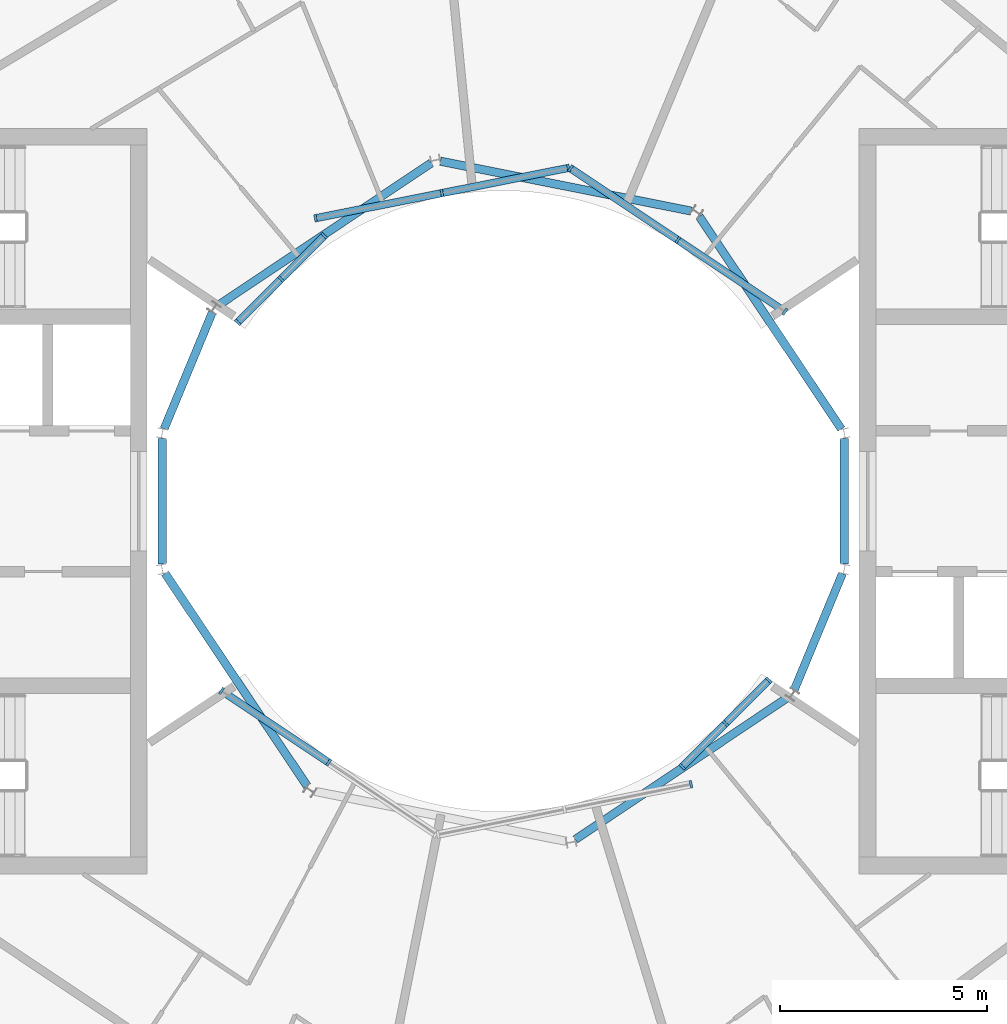
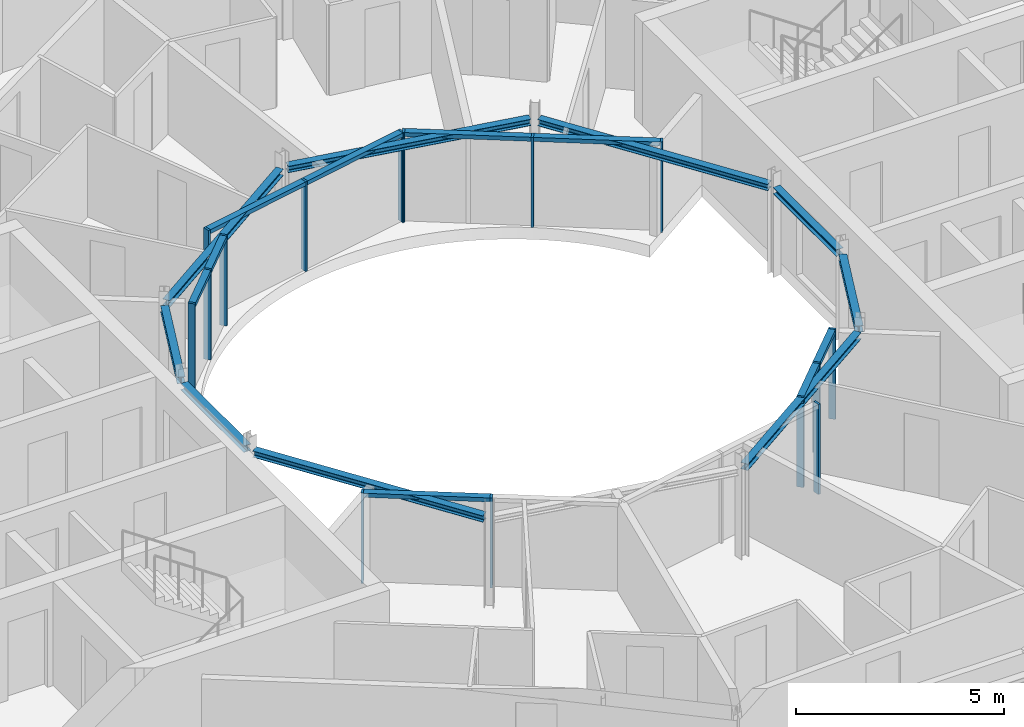
# One storey, part 6 of 17: 24 members, 9 beams, 6 elements without a shape of their own.
"""IFC4 building model written with IfcOpenShell, lengths in metres."""

from ifc_helpers import new_model, si_unit, direction, frame, origin, origin_2d, place, context, subcontext, project, spatial, rectangle, i_section, extrude, material, layer, layer_set, material_profile, profile_set, type_object, element, aggregate, save


model = new_model("IFC4")

# Units and contexts
model_context = context("Model", 3, precision=1e-05, world=origin(), true_north=direction((0.0, 1.0)))
body_context = subcontext(model_context, "Body", "Model", "MODEL_VIEW")
ifc_project = project(units=[si_unit("LENGTHUNIT", "METRE"), si_unit("AREAUNIT", "SQUARE_METRE"), si_unit("VOLUMEUNIT", "CUBIC_METRE"), si_unit("PLANEANGLEUNIT", "RADIAN"), si_unit("MASSUNIT", "GRAM", prefix="KILO")], contexts=[model_context])

# Site, building, storey
site_placement = place(None, origin())
site = spatial("IfcSite", under=ifc_project, at=site_placement, CompositionType="ELEMENT")
building_placement = place(site_placement, origin())
building = spatial("IfcBuilding", under=site, at=building_placement, Name="Maasbend Ring Residences", CompositionType="ELEMENT")
storey_placement = place(building_placement, frame((0.0, 0.0, 252.35009765625)))
storey = spatial("IfcBuildingStorey", under=building, at=storey_placement, Name="L73", CompositionType="ELEMENT", Elevation=252.35009765625)

# Curtain wall, members
ifc_material_1 = material(Name="Aluminium and clear glass", Category="aluminium")
ifc_layer = layer(ifc_material_1, 0.179931640625)
ifc_layer_set = layer_set([ifc_layer], Name="CW-W")
curtain_wall_type = type_object("IfcCurtainWallType", Name="CW-W", PredefinedType="NOTDEFINED", material=ifc_layer_set)
curtain_wall_1_placement = place(storey_placement, origin())
curtain_wall_1 = element("IfcCurtainWall", 1, at=curtain_wall_1_placement, inside=storey, type_object=curtain_wall_type, Name="Well curtain wall N1", PredefinedType="NOTDEFINED")
ifc_material_2 = material(Name="Aluminium 6063-T6", Category="aluminium")
ifc_material_profile_1 = material_profile(ifc_material_2, rectangle(XDim=0.179931640625, YDim=0.06005859375, at=origin_2d()), Name="AL 180x60")
ifc_profile_set_1 = profile_set([ifc_material_profile_1], Name="Aluminium 6063-T6")
member_type_1 = type_object("IfcMemberType", Name="CWM-W", PredefinedType="MULLION", material=ifc_profile_set_1)
member_1_placement = place(storey_placement, frame((6.805908203125, 4.580810546875, 0.0), z_axis=(0.0, 0.0, 1.0), x_axis=(-0.55557023302, -0.831469612303, 0.0)))
member_1 = element("IfcMember", 2, at=member_1_placement, type_object=member_type_1, Name="Mullion well face", PredefinedType="MULLION", context=body_context, shape_type="SweptSolid", body=[
    extrude(rectangle(XDim=0.179931640625, YDim=0.06005859375, at=origin_2d()), origin(), (0.0, 0.0, 1.0), 2.64990234375),
])
member_2_placement = place(storey_placement, frame((4.216796875, 6.310791015625, 0.0), z_axis=(0.0, 0.0, 1.0), x_axis=(-0.55557023302, -0.831469612303, 0.0)))
member_2 = element("IfcMember", 3, at=member_2_placement, type_object=member_type_1, Name="Mullion well face", PredefinedType="MULLION", context=body_context, shape_type="SweptSolid", body=[
    extrude(rectangle(XDim=0.179931640625, YDim=0.06005859375, at=origin_2d()), origin(), (0.0, 0.0, 1.0), 2.64990234375),
])
member_3_placement = place(storey_placement, frame((1.627685546875, 8.040771484375, 0.0), z_axis=(0.0, 0.0, 1.0), x_axis=(-0.55557023302, -0.831469612303, 0.0)))
member_3 = element("IfcMember", 4, at=member_3_placement, type_object=member_type_1, Name="Mullion well face", PredefinedType="MULLION", context=body_context, shape_type="SweptSolid", body=[
    extrude(rectangle(XDim=0.179931640625, YDim=0.06005859375, at=origin_2d()), origin(), (0.0, 0.0, 1.0), 2.64990234375),
])

curtain_wall_2_placement = place(storey_placement, origin())
curtain_wall_2 = element("IfcCurtainWall", 5, at=curtain_wall_2_placement, inside=storey, type_object=curtain_wall_type, Name="Well curtain wall N2", PredefinedType="NOTDEFINED")
member_4_placement = place(storey_placement, frame((1.5732421875, 8.0517578125, 0.0), z_axis=(0.0, 0.0, 1.0), x_axis=(0.195090322016, -0.980785280403, 0.0)))
member_4 = element("IfcMember", 6, at=member_4_placement, type_object=member_type_1, Name="Mullion well face", PredefinedType="MULLION", context=body_context, shape_type="SweptSolid", body=[
    extrude(rectangle(XDim=0.179931640625, YDim=0.06005859375, at=origin_2d()), origin(), (0.0, 0.0, 1.0), 2.64990234375),
])
member_5_placement = place(storey_placement, frame((-1.480712890625, 7.444091796875, 0.0), z_axis=(0.0, 0.0, 1.0), x_axis=(0.195090322016, -0.980785280403, 0.0)))
member_5 = element("IfcMember", 7, at=member_5_placement, type_object=member_type_1, Name="Mullion well face", PredefinedType="MULLION", context=body_context, shape_type="SweptSolid", body=[
    extrude(rectangle(XDim=0.179931640625, YDim=0.06005859375, at=origin_2d()), origin(), (0.0, 0.0, 1.0), 2.64990234375),
])
member_6_placement = place(storey_placement, frame((-4.53466796875, 6.836669921875, 0.0), z_axis=(0.0, 0.0, 1.0), x_axis=(0.195090322016, -0.980785280403, 0.0)))
member_6 = element("IfcMember", 8, at=member_6_placement, type_object=member_type_1, Name="Mullion well face", PredefinedType="MULLION", context=body_context, shape_type="SweptSolid", body=[
    extrude(rectangle(XDim=0.179931640625, YDim=0.06005859375, at=origin_2d()), origin(), (0.0, 0.0, 1.0), 2.64990234375),
])

curtain_wall_3_placement = place(storey_placement, origin())
curtain_wall_3 = element("IfcCurtainWall", 9, at=curtain_wall_3_placement, inside=storey, type_object=curtain_wall_type, Name="Well curtain wall N3", PredefinedType="NOTDEFINED")
member_7_placement = place(storey_placement, frame((-4.320556640625, 6.413330078125, 0.0), z_axis=(0.0, 0.0, 1.0), x_axis=(0.707106781187, -0.707106781187, 0.0)))
member_7 = element("IfcMember", 10, at=member_7_placement, type_object=member_type_1, Name="Mullion well face", PredefinedType="MULLION", context=body_context, shape_type="SweptSolid", body=[
    extrude(rectangle(XDim=0.179931640625, YDim=0.06005859375, at=origin_2d()), origin(), (0.0, 0.0, 1.0), 2.64990234375),
])
member_8_placement = place(storey_placement, frame((-5.366943359375, 5.366943359375, 0.0), z_axis=(0.0, 0.0, 1.0), x_axis=(0.707106781187, -0.707106781187, 0.0)))
member_8 = element("IfcMember", 11, at=member_8_placement, type_object=member_type_1, Name="Mullion well face", PredefinedType="MULLION", context=body_context, shape_type="SweptSolid", body=[
    extrude(rectangle(XDim=0.179931640625, YDim=0.06005859375, at=origin_2d()), origin(), (0.0, 0.0, 1.0), 2.64990234375),
])
member_9_placement = place(storey_placement, frame((-6.413330078125, 4.320556640625, 0.0), z_axis=(0.0, 0.0, 1.0), x_axis=(0.707106781187, -0.707106781187, 0.0)))
member_9 = element("IfcMember", 12, at=member_9_placement, type_object=member_type_1, Name="Mullion well face", PredefinedType="MULLION", context=body_context, shape_type="SweptSolid", body=[
    extrude(rectangle(XDim=0.179931640625, YDim=0.06005859375, at=origin_2d()), origin(), (0.0, 0.0, 1.0), 2.64990234375),
])

curtain_wall_4_placement = place(storey_placement, origin())
curtain_wall_4 = element("IfcCurtainWall", 13, at=curtain_wall_4_placement, inside=storey, type_object=curtain_wall_type, Name="Well curtain wall S1", PredefinedType="NOTDEFINED")
member_10_placement = place(storey_placement, frame((-6.805908203125, -4.580810546875, 0.0), z_axis=(0.0, 0.0, 1.0), x_axis=(0.55557023302, 0.831469612303, 0.0)))
member_10 = element("IfcMember", 14, at=member_10_placement, type_object=member_type_1, Name="Mullion well face", PredefinedType="MULLION", context=body_context, shape_type="SweptSolid", body=[
    extrude(rectangle(XDim=0.179931640625, YDim=0.06005859375, at=origin_2d()), origin(), (0.0, 0.0, 1.0), 2.64990234375),
])
member_11_placement = place(storey_placement, frame((-4.216796875, -6.310791015625, 0.0), z_axis=(0.0, 0.0, 1.0), x_axis=(0.55557023302, 0.831469612303, 0.0)))
member_11 = element("IfcMember", 15, at=member_11_placement, type_object=member_type_1, Name="Mullion well face", PredefinedType="MULLION", context=body_context, shape_type="SweptSolid", body=[
    extrude(rectangle(XDim=0.179931640625, YDim=0.06005859375, at=origin_2d()), origin(), (0.0, 0.0, 1.0), 2.64990234375),
])

# Curtain wall, member
curtain_wall_5_placement = place(storey_placement, origin())
curtain_wall_5 = element("IfcCurtainWall", 16, at=curtain_wall_5_placement, inside=storey, type_object=curtain_wall_type, Name="Well curtain wall S2", PredefinedType="NOTDEFINED")
member_12_placement = place(storey_placement, frame((4.53466796875, -6.836669921875, 0.0), z_axis=(0.0, 0.0, 1.0), x_axis=(-0.195090322016, 0.980785280403, 0.0)))
member_12 = element("IfcMember", 17, at=member_12_placement, type_object=member_type_1, Name="Mullion well face", PredefinedType="MULLION", context=body_context, shape_type="SweptSolid", body=[
    extrude(rectangle(XDim=0.179931640625, YDim=0.06005859375, at=origin_2d()), origin(), (0.0, 0.0, 1.0), 2.64990234375),
])
aggregate(curtain_wall_5, [member_12])

# Curtain wall, members
curtain_wall_6_placement = place(storey_placement, origin())
curtain_wall_6 = element("IfcCurtainWall", 18, at=curtain_wall_6_placement, inside=storey, type_object=curtain_wall_type, Name="Well curtain wall S3", PredefinedType="NOTDEFINED")
member_13_placement = place(storey_placement, frame((4.320556640625, -6.413330078125, 0.0), z_axis=(0.0, 0.0, 1.0), x_axis=(-0.707106781187, 0.707106781187, 0.0)))
member_13 = element("IfcMember", 19, at=member_13_placement, type_object=member_type_1, Name="Mullion well face", PredefinedType="MULLION", context=body_context, shape_type="SweptSolid", body=[
    extrude(rectangle(XDim=0.179931640625, YDim=0.06005859375, at=origin_2d()), origin(), (0.0, 0.0, 1.0), 2.64990234375),
])
member_14_placement = place(storey_placement, frame((5.366943359375, -5.366943359375, 0.0), z_axis=(0.0, 0.0, 1.0), x_axis=(-0.707106781187, 0.707106781187, 0.0)))
member_14 = element("IfcMember", 20, at=member_14_placement, type_object=member_type_1, Name="Mullion well face", PredefinedType="MULLION", context=body_context, shape_type="SweptSolid", body=[
    extrude(rectangle(XDim=0.179931640625, YDim=0.06005859375, at=origin_2d()), origin(), (0.0, 0.0, 1.0), 2.64990234375),
])
member_15_placement = place(storey_placement, frame((6.413330078125, -4.320556640625, 0.0), z_axis=(0.0, 0.0, 1.0), x_axis=(-0.707106781187, 0.707106781187, 0.0)))
member_15 = element("IfcMember", 21, at=member_15_placement, type_object=member_type_1, Name="Mullion well face", PredefinedType="MULLION", context=body_context, shape_type="SweptSolid", body=[
    extrude(rectangle(XDim=0.179931640625, YDim=0.06005859375, at=origin_2d()), origin(), (0.0, 0.0, 1.0), 2.64990234375),
])

# Member
ifc_material_3 = material(Name="Aluminium 6063-T6", Category="aluminium")
ifc_material_profile_2 = material_profile(ifc_material_3, rectangle(XDim=0.179931640625, YDim=0.1201171875, at=origin_2d()), Name="AL 180x120")
ifc_profile_set_2 = profile_set([ifc_material_profile_2], Name="Aluminium 6063-T6")
member_type_2 = type_object("IfcMemberType", Name="CWT-W", PredefinedType="USERDEFINED", material=ifc_profile_set_2)
member_16_placement = place(storey_placement, frame((6.781005859375, 4.59765625, 2.58984375), z_axis=(-0.831496422459, 0.555530106689, 0.0), x_axis=(-0.555530106689, -0.831496422459, 0.0)))
member_16 = element("IfcMember", 22, at=member_16_placement, type_object=member_type_2, Name="Transom well face", ObjectType="TRANSOM", PredefinedType="USERDEFINED", context=body_context, shape_type="SweptSolid", body=[
    extrude(rectangle(XDim=0.179931640625, YDim=0.1201171875, at=origin_2d()), origin(), (0.0, 0.0, 1.0), 3.053955078125),
])

member_17_placement = place(storey_placement, frame((4.19189453125, 6.32763671875, 2.58984375), z_axis=(-0.831496422459, 0.555530106689, 0.0), x_axis=(-0.555530106689, -0.831496422459, 0.0)))
member_17 = element("IfcMember", 23, at=member_17_placement, type_object=member_type_2, Name="Transom well face", ObjectType="TRANSOM", PredefinedType="USERDEFINED", context=body_context, shape_type="SweptSolid", body=[
    extrude(rectangle(XDim=0.179931640625, YDim=0.1201171875, at=origin_2d()), origin(), (0.0, 0.0, 1.0), 3.053955078125),
])

aggregate(curtain_wall_1, [member_1, member_2, member_3, member_16, member_17])

member_18_placement = place(storey_placement, frame((1.5439453125, 8.0458984375, 2.58984375), z_axis=(-0.980776956105, -0.195132166424, 0.0), x_axis=(0.195132166424, -0.980776956105, 0.0)))
member_18 = element("IfcMember", 24, at=member_18_placement, type_object=member_type_2, Name="Transom well face", ObjectType="TRANSOM", PredefinedType="USERDEFINED", context=body_context, shape_type="SweptSolid", body=[
    extrude(rectangle(XDim=0.179931640625, YDim=0.1201171875, at=origin_2d()), origin(), (0.0, 0.0, 1.0), 3.053955078125),
])

member_19_placement = place(storey_placement, frame((-1.51025390625, 7.438232421875, 2.58984375), z_axis=(-0.980789210404, -0.19507056353, 0.0), x_axis=(0.19507056353, -0.980789210404, 0.0)))
member_19 = element("IfcMember", 25, at=member_19_placement, type_object=member_type_2, Name="Transom well face", ObjectType="TRANSOM", PredefinedType="USERDEFINED", context=body_context, shape_type="SweptSolid", body=[
    extrude(rectangle(XDim=0.179931640625, YDim=0.1201171875, at=origin_2d()), origin(), (0.0, 0.0, 1.0), 3.0537109375),
])

aggregate(curtain_wall_2, [member_4, member_5, member_6, member_18, member_19])

member_20_placement = place(storey_placement, frame((-4.341796875, 6.39208984375, 2.58984375), z_axis=(-0.707106781187, -0.707106781187, 0.0), x_axis=(0.707106781187, -0.707106781187, 0.0)))
member_20 = element("IfcMember", 26, at=member_20_placement, type_object=member_type_2, Name="Transom well face", ObjectType="TRANSOM", PredefinedType="USERDEFINED", context=body_context, shape_type="SweptSolid", body=[
    extrude(rectangle(XDim=0.179931640625, YDim=0.1201171875, at=origin_2d()), origin(), (0.0, 0.0, 1.0), 1.419677734375),
])

member_21_placement = place(storey_placement, frame((-5.38818359375, 5.345703125, 2.58984375), z_axis=(-0.707106781187, -0.707106781187, 0.0), x_axis=(0.707106781187, -0.707106781187, 0.0)))
member_21 = element("IfcMember", 27, at=member_21_placement, type_object=member_type_2, Name="Transom well face", ObjectType="TRANSOM", PredefinedType="USERDEFINED", context=body_context, shape_type="SweptSolid", body=[
    extrude(rectangle(XDim=0.179931640625, YDim=0.1201171875, at=origin_2d()), origin(), (0.0, 0.0, 1.0), 1.419677734375),
])

aggregate(curtain_wall_3, [member_7, member_8, member_9, member_20, member_21])

member_22_placement = place(storey_placement, frame((-6.781005859375, -4.59765625, 2.58984375), z_axis=(0.831496422459, -0.555530106689, 0.0), x_axis=(0.555530106689, 0.831496422459, 0.0)))
member_22 = element("IfcMember", 28, at=member_22_placement, type_object=member_type_2, Name="Transom well face", ObjectType="TRANSOM", PredefinedType="USERDEFINED", context=body_context, shape_type="SweptSolid", body=[
    extrude(rectangle(XDim=0.179931640625, YDim=0.1201171875, at=origin_2d()), origin(), (0.0, 0.0, 1.0), 3.053955078125),
])

aggregate(curtain_wall_4, [member_10, member_11, member_22])

member_23_placement = place(storey_placement, frame((4.341796875, -6.39208984375, 2.58984375), z_axis=(0.707106781187, 0.707106781187, 0.0), x_axis=(-0.707106781187, 0.707106781187, 0.0)))
member_23 = element("IfcMember", 29, at=member_23_placement, type_object=member_type_2, Name="Transom well face", ObjectType="TRANSOM", PredefinedType="USERDEFINED", context=body_context, shape_type="SweptSolid", body=[
    extrude(rectangle(XDim=0.179931640625, YDim=0.1201171875, at=origin_2d()), origin(), (0.0, 0.0, 1.0), 1.419677734375),
])

member_24_placement = place(storey_placement, frame((5.38818359375, -5.345703125, 2.58984375), z_axis=(0.707106781187, 0.707106781187, 0.0), x_axis=(-0.707106781187, 0.707106781187, 0.0)))
member_24 = element("IfcMember", 30, at=member_24_placement, type_object=member_type_2, Name="Transom well face", ObjectType="TRANSOM", PredefinedType="USERDEFINED", context=body_context, shape_type="SweptSolid", body=[
    extrude(rectangle(XDim=0.179931640625, YDim=0.1201171875, at=origin_2d()), origin(), (0.0, 0.0, 1.0), 1.419677734375),
])

aggregate(curtain_wall_6, [member_13, member_14, member_15, member_23, member_24])

# Beams
ifc_material_4 = material(Name="Steel S355J2", Category="steel")
ifc_material_profile_3 = material_profile(ifc_material_4, i_section(OverallWidth=0.199951171875, OverallDepth=0.18994140625, WebThickness=0.006591796875, FlangeThickness=0.010009765625, FilletRadius=0.01806640625, at=origin_2d()), Name="HEA 200")
ifc_profile_set_3 = profile_set([ifc_material_profile_3], Name="Steel S355J2")
beam_type = type_object("IfcBeamType", Name="Well edge beam HEA 200", PredefinedType="BEAM", material=ifc_profile_set_3)
for number, where, z_axis, x_axis, name in (
    (31, (8.16943359375, 1.7421875, 2.554931640625), (-0.555547729421, 0.831484648286, 0.0), (-0.831484648286, -0.555547729421, 0.0), "Well edge beam"),
    (32, (4.544677734375, 7.008544921875, 2.554931640625), (-0.98078072474, 0.195113223486, 0.0), (-0.195113223486, -0.98078072474, 0.0), "Well edge beam"),
    (33, (-1.7421875, 8.16943359375, 2.554931640625), (-0.831484648286, -0.555547729421, 0.0), (0.555547729421, -0.831484648286, 0.0), "Well edge beam"),
):
    element("IfcBeam", number, at=place(storey_placement, frame(where, z_axis=z_axis, x_axis=x_axis)), inside=storey, type_object=beam_type, Name=name, PredefinedType="BEAM", context=body_context, shape_type="SweptSolid", body=[
        extrude(i_section(OverallWidth=0.199951171875, OverallDepth=0.18994140625, WebThickness=0.006591796875, FlangeThickness=0.010009765625, FilletRadius=0.01806640625, at=origin_2d()), origin(), (0.0, 0.0, 1.0), 6.18017578125),
    ])
for number, where, z_axis, x_axis, name in (
    (34, (-7.029296875, 4.55859375, 2.554931640625), (-0.382609241817, -0.923910259753, 0.0), (0.923910259753, -0.382609241817, 0.0), "Well edge beam"),
    (35, (-8.238525390625, 1.521484375, 2.554931640625), (0.0, -1.0, 0.0), (1.0, 0.0, 0.0), "Well edge beam"),
):
    element("IfcBeam", number, at=place(storey_placement, frame(where, z_axis=z_axis, x_axis=x_axis)), inside=storey, type_object=beam_type, Name=name, PredefinedType="BEAM", context=body_context, shape_type="SweptSolid", body=[
        extrude(i_section(OverallWidth=0.199951171875, OverallDepth=0.18994140625, WebThickness=0.006591796875, FlangeThickness=0.010009765625, FilletRadius=0.01806640625, at=origin_2d()), origin(), (0.0, 0.0, 1.0), 3.04296875),
    ])
for number, where, z_axis, x_axis, name in (
    (36, (-8.16943359375, -1.7421875, 2.554931640625), (0.555547729421, -0.831484648286, 0.0), (0.831484648286, 0.555547729421, 0.0), "Well edge beam"),
    (37, (1.7421875, -8.16943359375, 2.554931640625), (0.831484648286, 0.555547729421, 0.0), (-0.555547729421, 0.831484648286, 0.0), "Well edge beam"),
):
    element("IfcBeam", number, at=place(storey_placement, frame(where, z_axis=z_axis, x_axis=x_axis)), inside=storey, type_object=beam_type, Name=name, PredefinedType="BEAM", context=body_context, shape_type="SweptSolid", body=[
        extrude(i_section(OverallWidth=0.199951171875, OverallDepth=0.18994140625, WebThickness=0.006591796875, FlangeThickness=0.010009765625, FilletRadius=0.01806640625, at=origin_2d()), origin(), (0.0, 0.0, 1.0), 6.18017578125),
    ])
for number, where, z_axis, x_axis, name in (
    (38, (7.029296875, -4.55859375, 2.554931640625), (0.382609241817, 0.923910259753, 0.0), (-0.923910259753, 0.382609241817, 0.0), "Well edge beam"),
    (39, (8.238525390625, -1.521484375, 2.554931640625), (0.0, 1.0, 0.0), (-1.0, 0.0, 0.0), "Well edge beam"),
):
    element("IfcBeam", number, at=place(storey_placement, frame(where, z_axis=z_axis, x_axis=x_axis)), inside=storey, type_object=beam_type, Name=name, PredefinedType="BEAM", context=body_context, shape_type="SweptSolid", body=[
        extrude(i_section(OverallWidth=0.199951171875, OverallDepth=0.18994140625, WebThickness=0.006591796875, FlangeThickness=0.010009765625, FilletRadius=0.01806640625, at=origin_2d()), origin(), (0.0, 0.0, 1.0), 3.04296875),
    ])

save(model, "model.ifc")
